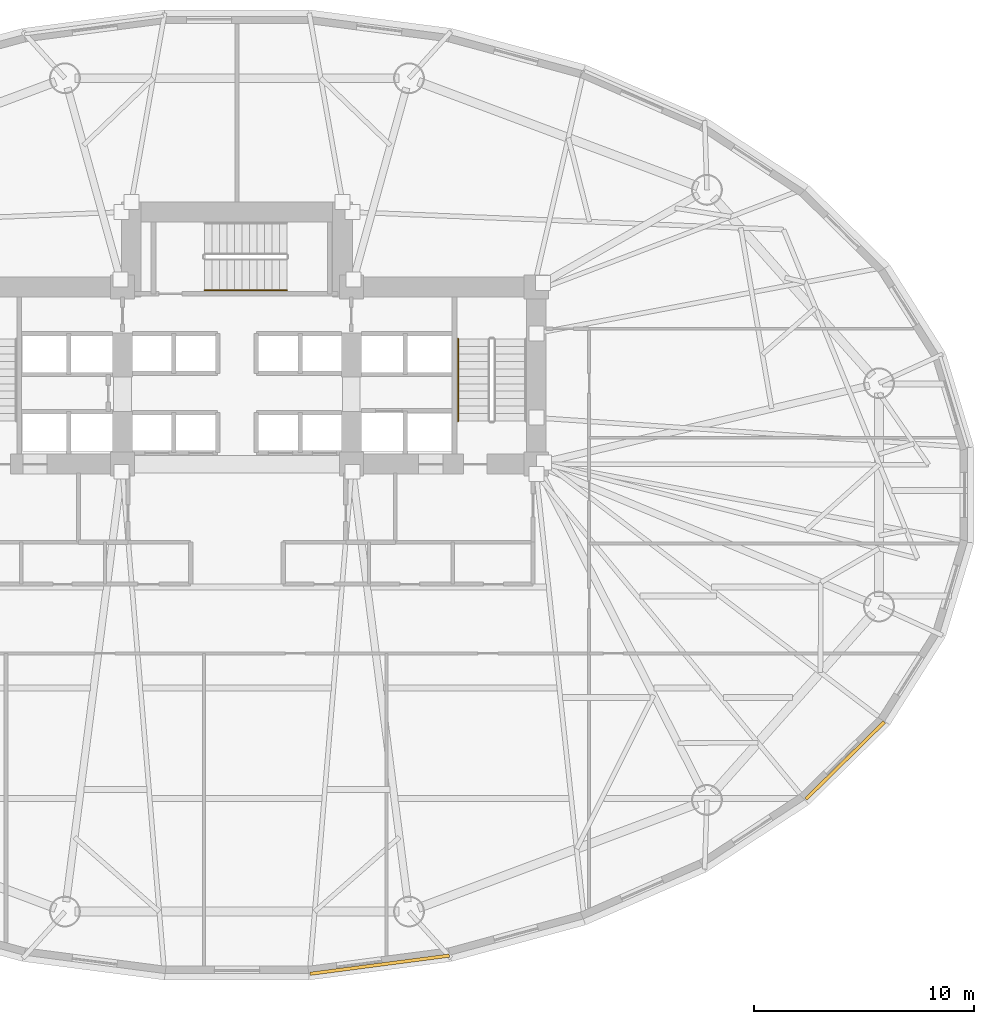
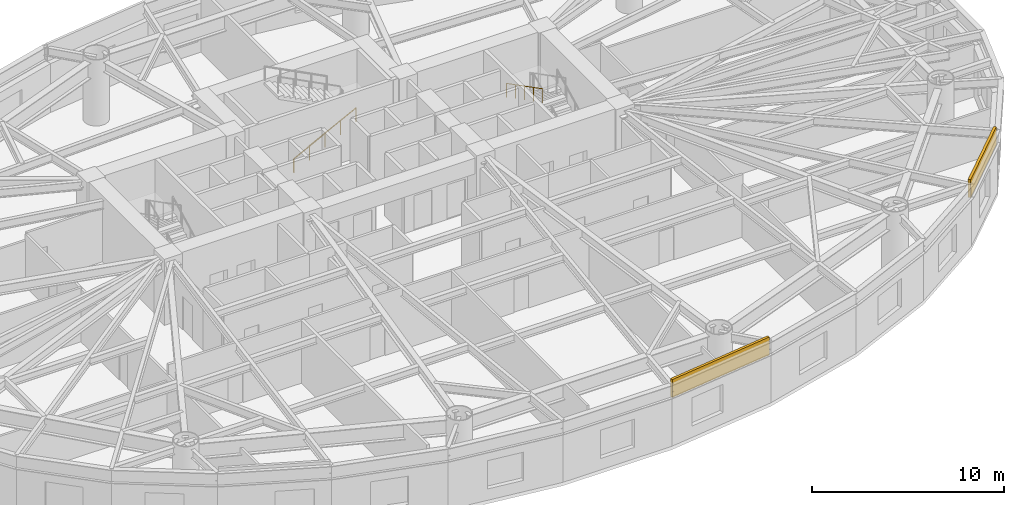
# One storey, part 11 of 14: 2 coverings, 2 railings.
"""IFC4 building model written with IfcOpenShell, lengths in metres."""

from ifc_helpers import new_model, si_unit, direction, frame, origin, origin_2d, place, context, subcontext, project, spatial, rectangle, circle, extrude, material, layer, layer_set, type_object, element, save


model = new_model("IFC4")

# Units and contexts
model_context = context("Model", 3, precision=1e-05, world=origin(), true_north=direction((0.0, 1.0)))
body_context = subcontext(model_context, "Body", "Model", "MODEL_VIEW")
ifc_project = project(units=[si_unit("LENGTHUNIT", "METRE"), si_unit("AREAUNIT", "SQUARE_METRE"), si_unit("VOLUMEUNIT", "CUBIC_METRE"), si_unit("PLANEANGLEUNIT", "RADIAN"), si_unit("MASSUNIT", "GRAM", prefix="KILO")], contexts=[model_context])

# Site, building, storey
site_placement = place(None, origin())
site = spatial("IfcSite", under=ifc_project, at=site_placement, CompositionType="ELEMENT")
building_placement = place(site_placement, origin())
building = spatial("IfcBuilding", under=site, at=building_placement, Name="Keldmark Tower", CompositionType="ELEMENT")
storey_placement = place(building_placement, frame((0.0, 0.0, 14.39990234375)))
storey = spatial("IfcBuildingStorey", under=building, at=storey_placement, Name="L03", CompositionType="ELEMENT", Elevation=14.39990234375)

# Coverings
ifc_material_1 = material(Name="Honed Kasota Buff Dolomitic Limestone", Category="masonry")
ifc_layer = layer(ifc_material_1, 0.074951171875)
ifc_layer_set = layer_set([ifc_layer], Name="Honed Kasota Buff Dolomitic Limestone")
covering_type = type_object("IfcCoveringType", Name="Kasota Buff Limestone Spandrel Cladding Band", PredefinedType="CLADDING", material=ifc_layer_set)
covering_1_placement = place(storey_placement, frame((6.487060546875, -21.344482421875, 3.033203125), z_axis=(0.0, 0.0, 1.0), x_axis=(0.991574223108, 0.129539801092, 0.0)))
element("IfcCovering", 1, at=covering_1_placement, inside=storey, type_object=covering_type, Name="L03 Kasota Limestone Spandrel Band 25", PredefinedType="CLADDING", context=body_context, shape_type="SweptSolid", body=[
    extrude(rectangle(XDim=6.37548828125, YDim=0.14990234375, at=origin_2d()), origin(), (0.0, 0.0, 1.0), 1.14697265625),
])
covering_2_placement = place(storey_placement, frame((27.62890625, -12.071044921875, 3.033203125), z_axis=(0.0, 0.0, 1.0), x_axis=(0.713189280566, 0.700971504475, 0.0)))
element("IfcCovering", 2, at=covering_2_placement, inside=storey, type_object=covering_type, Name="L03 Kasota Limestone Spandrel Band 29", PredefinedType="CLADDING", context=body_context, shape_type="SweptSolid", body=[
    extrude(rectangle(XDim=4.995849609375, YDim=0.14990234375, at=origin_2d()), origin(), (0.0, 0.0, 1.0), 1.14697265625),
])

# Railings
ifc_material_2 = material(Name="Stainless Steel AISI 316L", Category="steel")
railing_type = type_object("IfcRailingType", Name="Stainless Steel Stair Handrail 900 mm", PredefinedType="HANDRAIL", material=ifc_material_2)
railing_1_placement = place(storey_placement, frame((10.050048828125, 7.090087890625, 2.275146484375)))
element("IfcRailing", 3, at=railing_1_placement, inside=storey, type_object=railing_type, Name="L03 ST2 stair handrail 2", PredefinedType="HANDRAIL", context=body_context, shape_type="SweptSolid", body=[
    extrude(circle(Radius=0.02392578125, at=origin_2d()), frame((0.0, 0.0, 0.8759765625), z_axis=(0.0, -0.889130600629, 0.457653553493), x_axis=(1.0, 0.0, 0.0)), (0.0, 0.0, 1.0), 4.206298828125),
    extrude(circle(Radius=0.02099609375, at=origin_2d()), origin(), (0.0, 0.0, 1.0), 0.851806640625),
    extrude(circle(Radius=0.02099609375, at=origin_2d()), frame((0.0, -0.93505859375, 0.481201171875)), (0.0, 0.0, 1.0), 0.851806640625),
    extrude(circle(Radius=0.02099609375, at=origin_2d()), frame((0.0, -1.8701171875, 0.96240234375)), (0.0, 0.0, 1.0), 0.851806640625),
    extrude(circle(Radius=0.02099609375, at=origin_2d()), frame((0.0, -2.804931640625, 1.44384765625)), (0.0, 0.0, 1.0), 0.851806640625),
    extrude(circle(Radius=0.02099609375, at=origin_2d()), frame((0.0, -3.739990234375, 1.925048828125)), (0.0, 0.0, 1.0), 0.851806640625),
])
railing_2_placement = place(storey_placement, frame((-1.47509765625, 9.300048828125, 0.175048828125)))
element("IfcRailing", 4, at=railing_2_placement, inside=storey, type_object=railing_type, Name="L03 ST3 stair handrail 1", PredefinedType="HANDRAIL", context=body_context, shape_type="SweptSolid", body=[
    extrude(circle(Radius=0.02392578125, at=origin_2d()), frame((0.0, 0.0, 0.8759765625), z_axis=(0.889130600629, 0.0, 0.457653553493), x_axis=(0.0, 1.0, 0.0)), (0.0, 0.0, 1.0), 4.206298828125),
    extrude(circle(Radius=0.02099609375, at=origin_2d()), origin(), (0.0, 0.0, 1.0), 0.851806640625),
    extrude(circle(Radius=0.02099609375, at=origin_2d()), frame((0.93505859375, 0.0, 0.481201171875)), (0.0, 0.0, 1.0), 0.851806640625),
    extrude(circle(Radius=0.02099609375, at=origin_2d()), frame((1.8701171875, 0.0, 0.96240234375)), (0.0, 0.0, 1.0), 0.851806640625),
    extrude(circle(Radius=0.02099609375, at=origin_2d()), frame((2.804931640625, 0.0, 1.44384765625)), (0.0, 0.0, 1.0), 0.851806640625),
    extrude(circle(Radius=0.02099609375, at=origin_2d()), frame((3.739990234375, 0.0, 1.925048828125)), (0.0, 0.0, 1.0), 0.851806640625),
])

save(model, "model.ifc")
